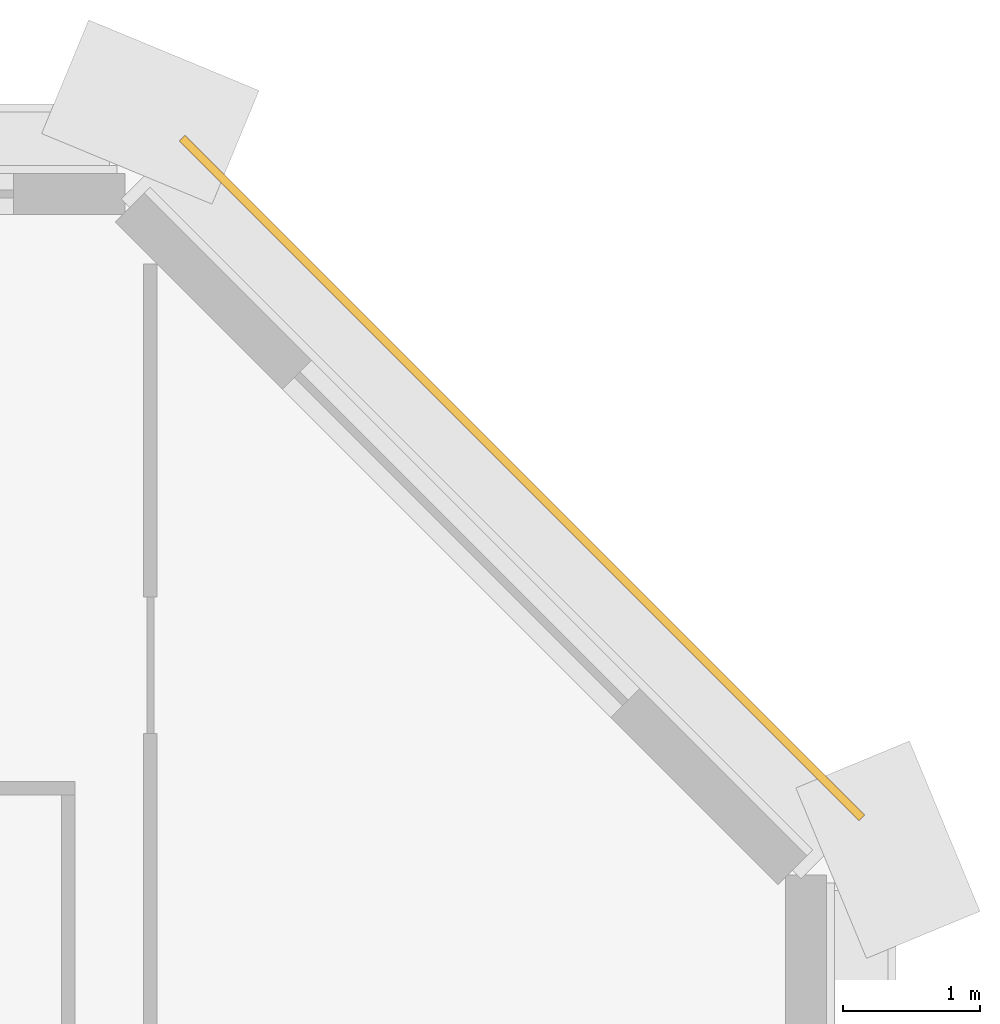
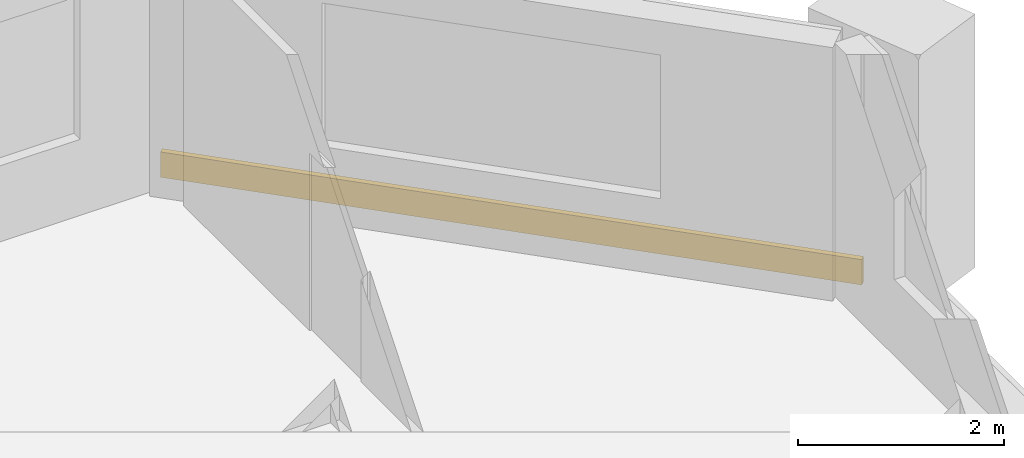
# One storey, part 12 of 12: 1 covering.
"""IFC4 building model written with IfcOpenShell, lengths in metres."""

import ifcopenshell
import ifcopenshell.guid

model = None  # the IFC model being written
_history = None  # IfcOwnerHistory: only IFC2X3 demands one
_inside = {}  # id of a spatial element -> (the spatial element, [elements in it])
_under = {}  # id of a project, library or spatial element -> (it, [spatial elements below it])
_declared = {}  # id of a project -> (the project, [libraries it declares])
_typed = {}  # id of a type object -> (the type object, [elements of that type])
_made_of = {}  # id of a material, layer set ... -> (it, [elements and type objects made of it])


def new_model(schema):
    """Start an empty IFC model of exactly this schema.

    Asked for "IFC4X3", IfcOpenShell would pick the latest addendum, in which some entities
    have other attributes; the version numbers below select the first issue.
    IFC2X3 requires an IfcOwnerHistory on every rooted entity: one is made here for all.
    """
    global model, _history
    if schema == "IFC4X3":
        model = ifcopenshell.file(schema_version=(4, 3, 0, 0))
    else:
        model = ifcopenshell.file(schema=schema)
    _inside.clear()
    _under.clear()
    _declared.clear()
    _typed.clear()
    _made_of.clear()
    _history = None
    if model.schema == "IFC2X3":
        org = make("IfcOrganization", Name="unknown")
        user = make(
            "IfcPersonAndOrganization",
            ThePerson=make("IfcPerson", FamilyName="unknown"),
            TheOrganization=org,
        )
        app = make(
            "IfcApplication",
            ApplicationDeveloper=org,
            Version="unknown",
            ApplicationFullName="unknown",
            ApplicationIdentifier="unknown",
        )
        _history = make(
            "IfcOwnerHistory",
            OwningUser=user,
            OwningApplication=app,
            ChangeAction="ADDED",
            CreationDate=0,
        )
    return model


def make(cls, **values):
    """One entity of the class cls with the attributes given. An attribute that is None is left unset."""
    return model.create_entity(
        cls, **{name: value for name, value in values.items() if value is not None}
    )


def rooted(cls, **values):
    """An entity with a GlobalId (a new one), such as an element, a storey or a relation."""
    return make(cls, GlobalId=ifcopenshell.guid.new(), OwnerHistory=_history, **values)


def si_unit(unit_type, name, prefix=None):
    """IfcSIUnit, for example si_unit("LENGTHUNIT", "METRE", prefix="MILLI")."""
    return make("IfcSIUnit", UnitType=unit_type, Prefix=prefix, Name=name)


def assignment(units):
    """IfcUnitAssignment: the units of a project."""
    return None if units is None else make("IfcUnitAssignment", Units=units)


def point(xyz):
    """IfcCartesianPoint."""
    return None if xyz is None else make("IfcCartesianPoint", Coordinates=xyz)


def direction(xyz):
    """IfcDirection."""
    return None if xyz is None else make("IfcDirection", DirectionRatios=xyz)


def frame(location, z_axis=None, x_axis=None):
    """IfcAxis2Placement3D, a coordinate frame: its origin and axes. An axis left out is left unset."""
    return make(
        "IfcAxis2Placement3D",
        Location=point(location),
        Axis=direction(z_axis),
        RefDirection=direction(x_axis),
    )


def frame_2d(location, x_axis=None):
    """IfcAxis2Placement2D, a coordinate frame in the plane: its origin and x axis."""
    return make(
        "IfcAxis2Placement2D", Location=point(location), RefDirection=direction(x_axis)
    )


def origin():
    """The frame at (0, 0, 0) with its axes left unset."""
    return frame((0.0, 0.0, 0.0))


def place(relative_to, where):
    """IfcLocalPlacement: puts the frame where relative to a parent placement (None: the world)."""
    return make(
        "IfcLocalPlacement", PlacementRelTo=relative_to, RelativePlacement=where
    )


def context(
    kind, dimensions, precision=None, world=None, true_north=None, identifier=None
):
    """IfcGeometricRepresentationContext, for example the 3D "Model" context."""
    return make(
        "IfcGeometricRepresentationContext",
        ContextIdentifier=identifier,
        ContextType=kind,
        CoordinateSpaceDimension=dimensions,
        Precision=precision,
        WorldCoordinateSystem=world,
        TrueNorth=true_north,
    )


def subcontext(parent, identifier, kind, view, scale=None):
    """IfcGeometricRepresentationSubContext, for example "Body" below "Model"."""
    return make(
        "IfcGeometricRepresentationSubContext",
        ContextIdentifier=identifier,
        ContextType=kind,
        ParentContext=parent,
        TargetScale=scale,
        TargetView=view,
    )


def project(units=None, contexts=None):
    """IfcProject with its units and contexts."""
    return rooted(
        "IfcProject",
        Name="project",
        RepresentationContexts=contexts,
        UnitsInContext=assignment(units),
    )


def spatial(cls, under=None, at=None, **own):
    """A site, building, storey or space (cls), placed at a placement, below another one or the project."""
    s = rooted(cls, ObjectPlacement=at, **own)
    if under is not None:
        _under.setdefault(under.id(), (under, []))[1].append(s)
    return s


def profile(cls, at=None, kind="AREA", **sizes):
    """A parametric profile (cls). Its sizes go by their IFC names, for example OverallWidth=200.0."""
    return make(cls, ProfileType=kind, Position=at, **sizes)


def rectangle(**sizes):
    """IfcRectangleProfileDef."""
    return profile("IfcRectangleProfileDef", **sizes)


def extrude(swept, where, along, depth):
    """IfcExtrudedAreaSolid: the profile swept, set in the frame where, extruded along a direction by depth."""
    return make(
        "IfcExtrudedAreaSolid",
        SweptArea=swept,
        Position=where,
        ExtrudedDirection=direction(along),
        Depth=depth,
    )


def shape(context_of_items, identifier, shape_type, items):
    """IfcShapeRepresentation: the items that make up one representation, for example the "Body"."""
    return make(
        "IfcShapeRepresentation",
        ContextOfItems=context_of_items,
        RepresentationIdentifier=identifier,
        RepresentationType=shape_type,
        Items=items,
    )


def material(Name=None, Category=None):
    """IfcMaterial."""
    return make("IfcMaterial", Name=Name, Category=Category)


def layer(
    of_material, thickness, ventilated=None, Name=None, Category=None, Priority=None
):
    """IfcMaterialLayer: one layer of a wall or slab, of a material (None: an air gap)."""
    return make(
        "IfcMaterialLayer",
        Material=of_material,
        LayerThickness=thickness,
        IsVentilated=ventilated,
        Name=Name,
        Category=Category,
        Priority=Priority,
    )


def layer_set(layers, Name=None):
    """IfcMaterialLayerSet."""
    return make("IfcMaterialLayerSet", MaterialLayers=layers, LayerSetName=Name)


def made_of(thing, what):
    """Note that an element or type object is made of a material, layer set ...; save() writes the relation."""
    if what is not None:
        _made_of.setdefault(what.id(), (what, []))[1].append(thing)
    return thing


def type_object(cls, material=None, **own):
    """A type object (cls), such as IfcWallType, which elements share."""
    return made_of(rooted(cls, **own), material)


def element(
    cls,
    number,
    at=None,
    inside=None,
    cuts=None,
    type_object=None,
    material=None,
    context=None,
    identifier="Body",
    shape_type=None,
    held_by="IfcProductDefinitionShape",
    body=None,
    shapes=None,
    **own,
):
    """One element of the class cls, such as IfcWall. Its Tag is "e" and its number.

    at: its placement. inside: the storey or other place that contains it. cuts: it is an
    opening in that element (IfcRelVoidsElement). A single representation is given by context,
    identifier, shape_type and body (its items); several are given by shapes. held_by: the class
    of the entity that holds the representations. save() writes the other relations.
    """
    e = rooted(cls, Tag="e%d" % number, ObjectPlacement=at, **own)
    if body is not None:
        shapes = [shape(context, identifier, shape_type, body)]
    if shapes is not None:
        e.Representation = make(held_by, Representations=shapes)
    if inside is not None:
        _inside.setdefault(inside.id(), (inside, []))[1].append(e)
    if cuts is not None:
        rooted(
            "IfcRelVoidsElement", RelatingBuildingElement=cuts, RelatedOpeningElement=e
        )
    if type_object is not None:
        _typed.setdefault(type_object.id(), (type_object, []))[1].append(e)
    return made_of(e, material)


def aggregate(whole, parts):
    """IfcRelAggregates: a whole, such as a stair, and the parts it consists of."""
    return rooted("IfcRelAggregates", RelatingObject=whole, RelatedObjects=parts)


def save(model, path):
    """Write the relations noted so far, then the file.

    IfcRelAggregates (storeys below a building ...), IfcRelContainedInSpatialStructure (elements
    in a storey), IfcRelDefinesByType, IfcRelAssociatesMaterial and IfcRelDeclares: one each for
    every whole, place, type object, material and project.
    """
    for whole, parts in _under.values():
        aggregate(whole, parts)
    for where, things in _inside.values():
        rooted(
            "IfcRelContainedInSpatialStructure",
            RelatedElements=things,
            RelatingStructure=where,
        )
    for kind, things in _typed.values():
        rooted("IfcRelDefinesByType", RelatedObjects=things, RelatingType=kind)
    for what, things in _made_of.values():
        rooted("IfcRelAssociatesMaterial", RelatedObjects=things, RelatingMaterial=what)
    for by, libraries in _declared.values():
        rooted("IfcRelDeclares", RelatingContext=by, RelatedDefinitions=libraries)
    model.write(path)


model = new_model("IFC4")

# Units and contexts
model_context = context("Model", 3, precision=1e-05, world=origin(), true_north=direction((0.0, 1.0)))
body_context = subcontext(model_context, "Body", "Model", "MODEL_VIEW")
ifc_project = project(units=[si_unit("LENGTHUNIT", "METRE"), si_unit("AREAUNIT", "SQUARE_METRE"), si_unit("VOLUMEUNIT", "CUBIC_METRE"), si_unit("PLANEANGLEUNIT", "RADIAN"), si_unit("MASSUNIT", "GRAM", prefix="KILO")], contexts=[model_context])

# Site, building, storey
site_placement = place(None, origin())
site = spatial("IfcSite", under=ifc_project, at=site_placement, CompositionType="ELEMENT")
building_placement = place(site_placement, origin())
building = spatial("IfcBuilding", under=site, at=building_placement, Name="Tabaq Tower and Sports Hall", CompositionType="ELEMENT")
storey_placement = place(building_placement, frame((0.0, 0.0, 187.300048828125)))
storey = spatial("IfcBuildingStorey", under=building, at=storey_placement, Name="L45", CompositionType="ELEMENT", Elevation=187.300048828125)

# Covering
ifc_material = material(Name="Precast concrete C60/75", Category="concrete")
ifc_layer = layer(ifc_material, 0.06005859375)
ifc_layer_set = layer_set([ifc_layer], Name="Edge beam cladding 60")
covering_type = type_object("IfcCoveringType", Name="Edge beam cladding 60", PredefinedType="CLADDING", material=ifc_layer_set)
covering_placement = place(storey_placement, frame((48.41015625, 43.432373046875, -0.300048828125), z_axis=(0.0, 0.0, 1.0), x_axis=(-0.707106781187, 0.707106781187, 0.0)))
element("IfcCovering", 1, at=covering_placement, inside=storey, type_object=covering_type, Name="Edge beam cladding L45 3", PredefinedType="CLADDING", context=body_context, shape_type="SweptSolid", body=[
    extrude(rectangle(XDim=7.03955078125, YDim=0.06005859375, at=frame_2d((3.519775390625, 0.0))), origin(), (0.0, 0.0, 1.0), 0.300048828125),
])

save(model, "model.ifc")
